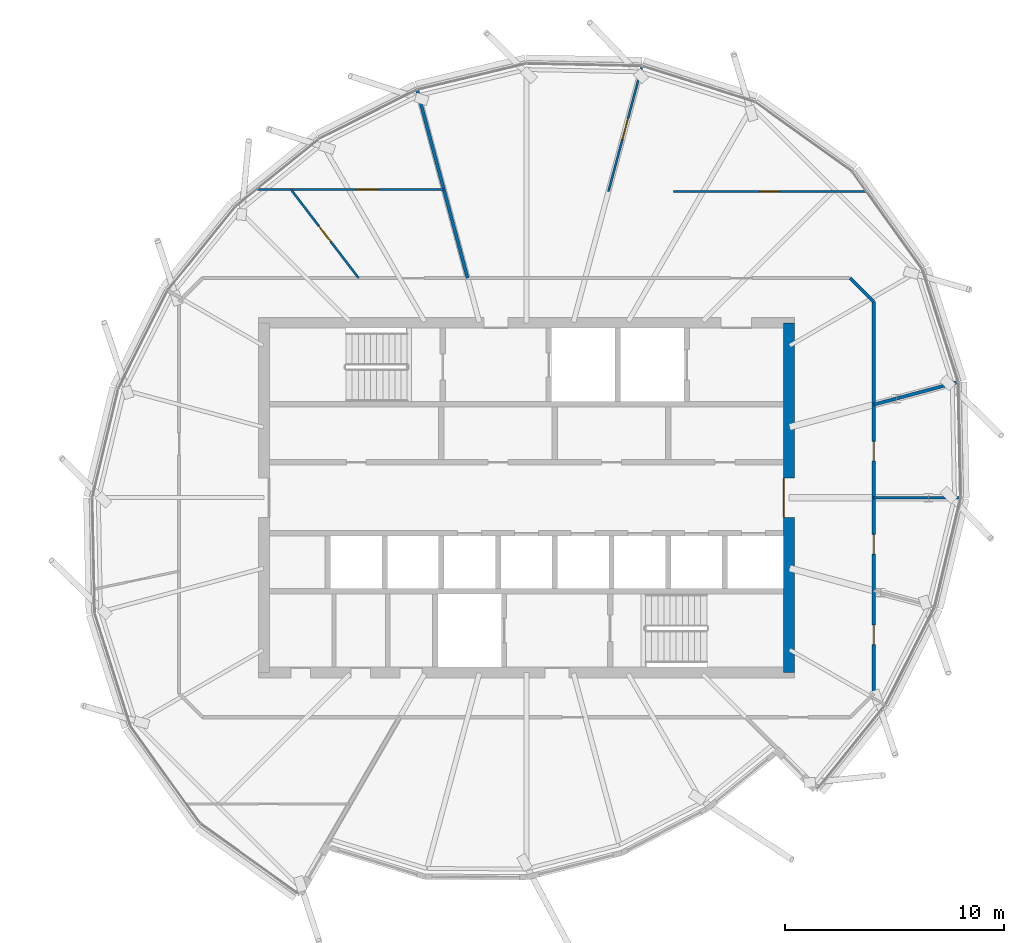
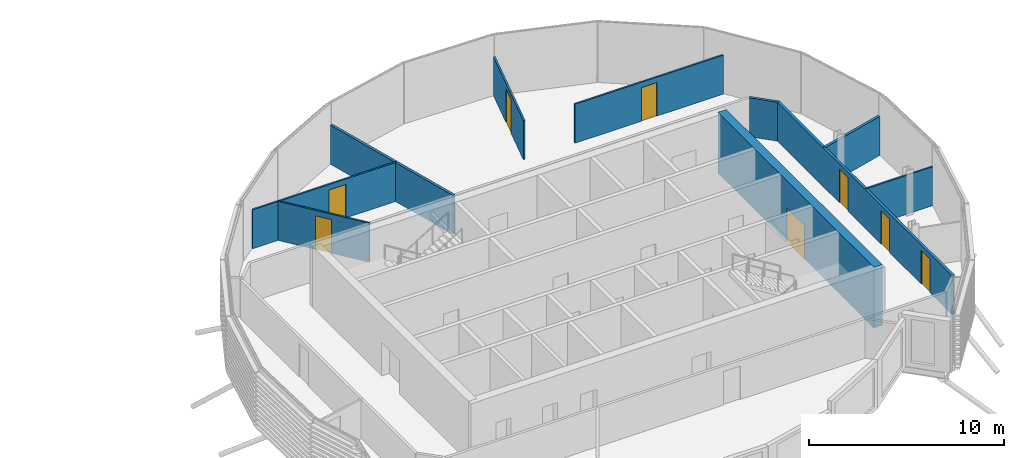
# One storey, part 22 of 38: 10 walls, 8 doors, 8 openings.
"""IFC4 building model written with IfcOpenShell, lengths in metres."""

from ifc_helpers import new_model, si_unit, direction, frame, frame_2d, origin, place, context, subcontext, project, spatial, rectangle, extrude, material, layer, layer_set, type_object, element, fill, save


model = new_model("IFC4")

# Units and contexts
model_context = context("Model", 3, precision=1e-05, world=origin(), true_north=direction((0.0, 1.0)))
body_context = subcontext(model_context, "Body", "Model", "MODEL_VIEW")
ifc_project = project(units=[si_unit("LENGTHUNIT", "METRE"), si_unit("AREAUNIT", "SQUARE_METRE"), si_unit("VOLUMEUNIT", "CUBIC_METRE"), si_unit("PLANEANGLEUNIT", "RADIAN"), si_unit("MASSUNIT", "GRAM", prefix="KILO")], contexts=[model_context])

# Site, building, storey
site_placement = place(None, origin())
site = spatial("IfcSite", under=ifc_project, at=site_placement, CompositionType="ELEMENT")
building_placement = place(site_placement, origin())
building = spatial("IfcBuilding", under=site, at=building_placement, Name="Rimbun Link Towers", CompositionType="ELEMENT")
storey_placement = place(building_placement, frame((0.0, 0.0, 218.10009765625)))
storey = spatial("IfcBuildingStorey", under=building, at=storey_placement, Name="L53", CompositionType="ELEMENT", Elevation=218.10009765625)

# Wall, opening, door
ifc_material_1 = material(Name="Concrete C60/75", Category="concrete")
ifc_layer_1 = layer(ifc_material_1, 0.5)
ifc_layer_set_1 = layer_set([ifc_layer_1], Name="Core shear wall 500")
wall_type_1 = type_object("IfcWallType", Name="Core shear wall 500", PredefinedType="SHEAR", material=ifc_layer_set_1)
wall_1_placement = place(storey_placement, frame((43.75, -8.0, 0.0), z_axis=(0.0, 0.0, 1.0), x_axis=(0.0, 1.0, 0.0)))
wall_1 = element("IfcWall", 1, at=wall_1_placement, inside=storey, type_object=wall_type_1, Name="L53 T2 core wall E", PredefinedType="SHEAR", context=body_context, shape_type="SweptSolid", body=[
    extrude(rectangle(XDim=16.0, YDim=0.5, at=frame_2d((8.0, 0.0))), origin(), (0.0, 0.0, 1.0), 3.7998046875),
])
opening_1_placement = place(wall_1_placement, frame((7.10009765625, 0.0, 0.0)))
opening_1 = element("IfcOpeningElement", 2, at=opening_1_placement, cuts=wall_1, Name="Opening C2DCL01E", PredefinedType="OPENING", context=body_context, shape_type="SweptSolid", body=[
    extrude(rectangle(XDim=1.800048828125, YDim=2.10009765625, at=frame_2d((0.89990234375, 1.050048828125))), frame((0.0, 0.260009765625, 0.0), z_axis=(0.0, -1.0, 0.0), x_axis=(1.0, 0.0, 0.0)), (0.0, 0.0, 1.0), 0.52001953125),
])
ifc_material_2 = material(Name="Steel fire door set", Category="steel")
door_type_1 = type_object("IfcDoorType", Name="Core lobby door double", OperationType="DOUBLE_DOOR_SINGLE_SWING", PredefinedType="DOOR", material=ifc_material_2)
door_1_placement = place(opening_1_placement, origin())
door_1 = element("IfcDoor", 3, at=door_1_placement, inside=storey, type_object=door_type_1, Name="L53 T2 lift lobby door", OperationType="DOUBLE_DOOR_SINGLE_SWING", OverallHeight=2.10009765625, OverallWidth=1.800048828125, PredefinedType="DOOR", context=body_context, shape_type="SweptSolid", body=[
    extrude(rectangle(XDim=1.800048828125, YDim=2.10009765625, at=frame_2d((0.89990234375, 1.050048828125))), frame((0.0, 0.25, 0.0), z_axis=(0.0, -1.0, 0.0), x_axis=(1.0, 0.0, 0.0)), (0.0, 0.0, 1.0), 0.050048828125),
])
fill(opening_1, door_1)

# Wall
ifc_material_3 = material(Name="Plasterboard on steel stud, mineral wool", Category="steel")
ifc_layer_2 = layer(ifc_material_3, 0.14990234375)
ifc_layer_set_2 = layer_set([ifc_layer_2], Name="Corridor wall EI 30 150 mm")
wall_type_2 = type_object("IfcWallType", Name="Corridor wall EI 30 150 mm", PredefinedType="PARTITIONING", material=ifc_layer_set_2)
wall_2_placement = place(storey_placement, frame((47.635009765625, 8.963623046875, 0.0), z_axis=(0.0, 0.0, 1.0), x_axis=(-0.707106781187, 0.707106781187, 0.0)))
element("IfcWall", 4, at=wall_2_placement, inside=storey, type_object=wall_type_2, Name="Corridor wall EI 30 150 mm", PredefinedType="PARTITIONING", context=body_context, shape_type="SweptSolid", body=[
    extrude(rectangle(XDim=1.529296875, YDim=0.14990234375, at=frame_2d((0.7646484375, 0.0))), origin(), (0.0, 0.0, 1.0), 2.43994140625),
])

# Wall, openings, doors
wall_3_placement = place(storey_placement, frame((47.635009765625, 8.963623046875, 0.0), z_axis=(0.0, 0.0, 1.0), x_axis=(0.0, -1.0, 0.0)))
wall_3 = element("IfcWall", 5, at=wall_3_placement, inside=storey, type_object=wall_type_2, Name="Corridor wall EI 30 150 mm", PredefinedType="PARTITIONING", context=body_context, shape_type="SweptSolid", body=[
    extrude(rectangle(XDim=17.92724609375, YDim=0.14990234375, at=frame_2d((8.963623046875, 0.0))), origin(), (0.0, 0.0, 1.0), 2.43994140625),
])
opening_2_placement = place(wall_3_placement, frame((14.781982421875, 0.0, 0.0)))
opening_2 = element("IfcOpeningElement", 6, at=opening_2_placement, cuts=wall_3, Name="Opening D02", PredefinedType="OPENING", context=body_context, shape_type="SweptSolid", body=[
    extrude(rectangle(XDim=0.89990234375, YDim=2.10009765625, at=frame_2d((0.449951171875, 1.050048828125))), frame((0.0, 0.0849609375, 0.0), z_axis=(0.0, -1.0, 0.0), x_axis=(1.0, 0.0, 0.0)), (0.0, 0.0, 1.0), 0.169921875),
])
opening_3_placement = place(wall_3_placement, frame((10.641845703125, 0.0, 0.0)))
opening_3 = element("IfcOpeningElement", 7, at=opening_3_placement, cuts=wall_3, Name="Opening D02", PredefinedType="OPENING", context=body_context, shape_type="SweptSolid", body=[
    extrude(rectangle(XDim=0.89990234375, YDim=2.10009765625, at=frame_2d((0.449951171875, 1.050048828125))), frame((0.0, 0.0849609375, 0.0), z_axis=(0.0, -1.0, 0.0), x_axis=(1.0, 0.0, 0.0)), (0.0, 0.0, 1.0), 0.169921875),
])
opening_4_placement = place(wall_3_placement, frame((6.385498046875, 0.0, 0.0)))
opening_4 = element("IfcOpeningElement", 8, at=opening_4_placement, cuts=wall_3, Name="Opening D02", PredefinedType="OPENING", context=body_context, shape_type="SweptSolid", body=[
    extrude(rectangle(XDim=0.89990234375, YDim=2.10009765625, at=frame_2d((0.449951171875, 1.050048828125))), frame((0.0, 0.0849609375, 0.0), z_axis=(0.0, -1.0, 0.0), x_axis=(1.0, 0.0, 0.0)), (0.0, 0.0, 1.0), 0.169921875),
])
ifc_material_4 = material(Name="Fire-resisting timber door leaf", Category="wood")
door_type_2 = type_object("IfcDoorType", Name="Fire door FD30S 900", OperationType="NOTDEFINED", PredefinedType="DOOR", material=ifc_material_4)
door_2_placement = place(opening_2_placement, origin())
door_2 = element("IfcDoor", 9, at=door_2_placement, inside=storey, type_object=door_type_2, Name="Fire door FD30S 900 to Print room", OperationType="SINGLE_SWING_RIGHT", OverallHeight=2.10009765625, OverallWidth=0.89990234375, PredefinedType="DOOR", context=body_context, shape_type="SweptSolid", body=[
    extrude(rectangle(XDim=0.89990234375, YDim=2.10009765625, at=frame_2d((0.449951171875, 1.050048828125))), frame((0.0, 0.02490234375, 0.0), z_axis=(0.0, -1.0, 0.0), x_axis=(1.0, 0.0, 0.0)), (0.0, 0.0, 1.0), 0.050048828125),
])
fill(opening_2, door_2)
door_3_placement = place(opening_3_placement, origin())
door_3 = element("IfcDoor", 10, at=door_3_placement, inside=storey, type_object=door_type_2, Name="Fire door FD30S 900 to Open office", OperationType="SINGLE_SWING_LEFT", OverallHeight=2.10009765625, OverallWidth=0.89990234375, PredefinedType="DOOR", context=body_context, shape_type="SweptSolid", body=[
    extrude(rectangle(XDim=0.89990234375, YDim=2.10009765625, at=frame_2d((0.449951171875, 1.050048828125))), frame((0.0, 0.02490234375, 0.0), z_axis=(0.0, -1.0, 0.0), x_axis=(1.0, 0.0, 0.0)), (0.0, 0.0, 1.0), 0.050048828125),
])
fill(opening_3, door_3)
door_4_placement = place(opening_4_placement, origin())
door_4 = element("IfcDoor", 11, at=door_4_placement, inside=storey, type_object=door_type_2, Name="Fire door FD30S 900 to Meeting room", OperationType="SINGLE_SWING_RIGHT", OverallHeight=2.10009765625, OverallWidth=0.89990234375, PredefinedType="DOOR", context=body_context, shape_type="SweptSolid", body=[
    extrude(rectangle(XDim=0.89990234375, YDim=2.10009765625, at=frame_2d((0.449951171875, 1.050048828125))), frame((0.0, 0.02490234375, 0.0), z_axis=(0.0, -1.0, 0.0), x_axis=(1.0, 0.0, 0.0)), (0.0, 0.0, 1.0), 0.050048828125),
])
fill(opening_4, door_4)

# Wall
ifc_material_5 = material(Name="Plasterboard on steel stud", Category="steel")
ifc_layer_3 = layer(ifc_material_5, 0.10009765625)
ifc_layer_set_3 = layer_set([ifc_layer_3], Name="Plasterboard partition 100 mm")
wall_type_3 = type_object("IfcWallType", Name="Plasterboard partition 100 mm", PredefinedType="PARTITIONING", material=ifc_layer_set_3)
wall_4_placement = place(storey_placement, frame((51.586181640625, 0.0, 0.0), z_axis=(0.0, 0.0, 1.0), x_axis=(-1.0, 0.0, 0.0)))
element("IfcWall", 12, at=wall_4_placement, inside=storey, type_object=wall_type_3, Name="Plasterboard partition 100 mm", PredefinedType="PARTITIONING", context=body_context, shape_type="SweptSolid", body=[
    extrude(rectangle(XDim=3.951171875, YDim=0.10009765625, at=frame_2d((1.9755859375, 0.0))), origin(), (0.0, 0.0, 1.0), 2.43994140625),
])

# Wall, opening, door
wall_5_placement = place(storey_placement, frame((38.480712890625, 14.0048828125, 0.0), z_axis=(0.0, 0.0, 1.0), x_axis=(1.0, 0.0, 0.0)))
wall_5 = element("IfcWall", 13, at=wall_5_placement, inside=storey, type_object=wall_type_3, Name="Plasterboard partition 100 mm", PredefinedType="PARTITIONING", context=body_context, shape_type="SweptSolid", body=[
    extrude(rectangle(XDim=8.79736328125, YDim=0.10009765625, at=frame_2d((4.398681640625, 0.0))), origin(), (0.0, 0.0, 1.0), 2.43994140625),
])
opening_5_placement = place(wall_5_placement, frame((3.94873046875, 0.0, 0.0)))
opening_5 = element("IfcOpeningElement", 14, at=opening_5_placement, cuts=wall_5, Name="Opening D04", PredefinedType="OPENING", context=body_context, shape_type="SweptSolid", body=[
    extrude(rectangle(XDim=0.89990234375, YDim=2.10009765625, at=frame_2d((0.449951171875, 1.050048828125))), frame((0.0, 0.06005859375, 0.0), z_axis=(0.0, -1.0, 0.0), x_axis=(1.0, 0.0, 0.0)), (0.0, 0.0, 1.0), 0.1201171875),
])
ifc_material_6 = material(Name="Timber door leaf", Category="wood")
door_type_3 = type_object("IfcDoorType", Name="Flush door 900", OperationType="NOTDEFINED", PredefinedType="DOOR", material=ifc_material_6)
door_5_placement = place(opening_5_placement, origin())
door_5 = element("IfcDoor", 15, at=door_5_placement, inside=storey, type_object=door_type_3, Name="Flush door 900 to Executive office", OperationType="SINGLE_SWING_LEFT", OverallHeight=2.10009765625, OverallWidth=0.89990234375, PredefinedType="DOOR", context=body_context, shape_type="SweptSolid", body=[
    extrude(rectangle(XDim=0.89990234375, YDim=2.10009765625, at=frame_2d((0.449951171875, 1.050048828125))), frame((0.0, 0.02490234375, 0.0), z_axis=(0.0, -1.0, 0.0), x_axis=(1.0, 0.0, 0.0)), (0.0, 0.0, 1.0), 0.050048828125),
])
fill(opening_5, door_5)

wall_6_placement = place(storey_placement, frame((35.502685546875, 14.0048828125, 0.0), z_axis=(0.0, 0.0, 1.0), x_axis=(0.258817138087, 0.96592633727, 0.0)))
wall_6 = element("IfcWall", 16, at=wall_6_placement, inside=storey, type_object=wall_type_3, Name="Plasterboard partition 100 mm", PredefinedType="PARTITIONING", context=body_context, shape_type="SweptSolid", body=[
    extrude(rectangle(XDim=5.922119140625, YDim=0.10009765625, at=frame_2d((2.9609375, 0.0))), origin(), (0.0, 0.0, 1.0), 2.43994140625),
])
opening_6_placement = place(wall_6_placement, frame((2.4609375, 0.0, 0.0)))
opening_6 = element("IfcOpeningElement", 17, at=opening_6_placement, cuts=wall_6, Name="Opening D03", PredefinedType="OPENING", context=body_context, shape_type="SweptSolid", body=[
    extrude(rectangle(XDim=1.0, YDim=2.10009765625, at=frame_2d((0.5, 1.050048828125))), frame((0.0, 0.06005859375, 0.0), z_axis=(0.0, -1.0, 0.0), x_axis=(1.0, 0.0, 0.0)), (0.0, 0.0, 1.0), 0.1201171875),
])
ifc_material_7 = material(Name="Timber door leaf", Category="wood")
door_type_4 = type_object("IfcDoorType", Name="Flush door 1000", OperationType="NOTDEFINED", PredefinedType="DOOR", material=ifc_material_7)
door_6_placement = place(opening_6_placement, origin())
door_6 = element("IfcDoor", 18, at=door_6_placement, inside=storey, type_object=door_type_4, Name="Flush door 1000 to Open office", OperationType="SINGLE_SWING_LEFT", OverallHeight=2.10009765625, OverallWidth=1.0, PredefinedType="DOOR", context=body_context, shape_type="SweptSolid", body=[
    extrude(rectangle(XDim=1.0, YDim=2.10009765625, at=frame_2d((0.5, 1.050048828125))), frame((0.0, 0.02490234375, 0.0), z_axis=(0.0, -1.0, 0.0), x_axis=(1.0, 0.0, 0.0)), (0.0, 0.0, 1.0), 0.050048828125),
])
fill(opening_6, door_6)

wall_7_placement = place(storey_placement, frame((24.07568359375, 10.044921875, 0.0), z_axis=(0.0, 0.0, 1.0), x_axis=(-0.607096228964, 0.794628321152, 0.0)))
wall_7 = element("IfcWall", 19, at=wall_7_placement, inside=storey, type_object=wall_type_3, Name="Plasterboard partition 100 mm", PredefinedType="PARTITIONING", context=body_context, shape_type="SweptSolid", body=[
    extrude(rectangle(XDim=5.0966796875, YDim=0.10009765625, at=frame_2d((2.54833984375, 0.0))), origin(), (0.0, 0.0, 1.0), 2.43994140625),
])
opening_7_placement = place(wall_7_placement, frame((2.098388671875, 0.0, 0.0)))
opening_7 = element("IfcOpeningElement", 20, at=opening_7_placement, cuts=wall_7, Name="Opening D04", PredefinedType="OPENING", context=body_context, shape_type="SweptSolid", body=[
    extrude(rectangle(XDim=0.89990234375, YDim=2.10009765625, at=frame_2d((0.449951171875, 1.050048828125))), frame((0.0, 0.06005859375, 0.0), z_axis=(0.0, -1.0, 0.0), x_axis=(1.0, 0.0, 0.0)), (0.0, 0.0, 1.0), 0.1201171875),
])
door_7_placement = place(opening_7_placement, origin())
door_7 = element("IfcDoor", 21, at=door_7_placement, inside=storey, type_object=door_type_3, Name="Flush door 900 to Pantry", OperationType="SINGLE_SWING_RIGHT", OverallHeight=2.10009765625, OverallWidth=0.89990234375, PredefinedType="DOOR", context=body_context, shape_type="SweptSolid", body=[
    extrude(rectangle(XDim=0.89990234375, YDim=2.10009765625, at=frame_2d((0.449951171875, 1.050048828125))), frame((0.0, 0.02490234375, 0.0), z_axis=(0.0, -1.0, 0.0), x_axis=(1.0, 0.0, 0.0)), (0.0, 0.0, 1.0), 0.050048828125),
])
fill(opening_7, door_7)

wall_8_placement = place(storey_placement, frame((19.440673828125, 14.094970703125, 0.0), z_axis=(0.0, 0.0, 1.0), x_axis=(1.0, 0.0, 0.0)))
wall_8 = element("IfcWall", 22, at=wall_8_placement, inside=storey, type_object=wall_type_3, Name="Plasterboard partition 100 mm", PredefinedType="PARTITIONING", context=body_context, shape_type="SweptSolid", body=[
    extrude(rectangle(XDim=8.53271484375, YDim=0.10009765625, at=frame_2d((4.266357421875, 0.0))), origin(), (0.0, 0.0, 1.0), 2.43994140625),
])
opening_8_placement = place(wall_8_placement, frame((4.521728515625, 0.0, 0.0)))
opening_8 = element("IfcOpeningElement", 23, at=opening_8_placement, cuts=wall_8, Name="Opening D03", PredefinedType="OPENING", context=body_context, shape_type="SweptSolid", body=[
    extrude(rectangle(XDim=1.0, YDim=2.10009765625, at=frame_2d((0.5, 1.050048828125))), frame((0.0, 0.06005859375, 0.0), z_axis=(0.0, -1.0, 0.0), x_axis=(1.0, 0.0, 0.0)), (0.0, 0.0, 1.0), 0.1201171875),
])
door_8_placement = place(opening_8_placement, origin())
door_8 = element("IfcDoor", 24, at=door_8_placement, inside=storey, type_object=door_type_4, Name="Flush door 1000 to Boardroom", OperationType="SINGLE_SWING_LEFT", OverallHeight=2.10009765625, OverallWidth=1.0, PredefinedType="DOOR", context=body_context, shape_type="SweptSolid", body=[
    extrude(rectangle(XDim=1.0, YDim=2.10009765625, at=frame_2d((0.5, 1.050048828125))), frame((0.0, 0.02490234375, 0.0), z_axis=(0.0, -1.0, 0.0), x_axis=(1.0, 0.0, 0.0)), (0.0, 0.0, 1.0), 0.050048828125),
])
fill(opening_8, door_8)

# Walls
ifc_material_8 = material(Name="Plasterboard on steel stud, mineral wool", Category="steel")
ifc_layer_4 = layer(ifc_material_8, 0.14990234375)
ifc_layer_set_4 = layer_set([ifc_layer_4], Name="Tenancy separation wall EI 60 150 mm")
wall_type_4 = type_object("IfcWallType", Name="Tenancy separation wall EI 60 150 mm", PredefinedType="PARTITIONING", material=ifc_layer_set_4)
wall_9_placement = place(storey_placement, frame((29.05859375, 10.044921875, 0.0), z_axis=(0.0, 0.0, 1.0), x_axis=(-0.258843948873, 0.965919153, 0.0)))
element("IfcWall", 25, at=wall_9_placement, inside=storey, type_object=wall_type_4, Name="Tenancy separation wall EI 60 150 mm", PredefinedType="PARTITIONING", context=body_context, shape_type="SweptSolid", body=[
    extrude(rectangle(XDim=8.89990234375, YDim=0.14990234375, at=frame_2d((4.449951171875, 0.0))), origin(), (0.0, 0.0, 1.0), 2.43994140625),
])
wall_10_placement = place(storey_placement, frame((47.635009765625, 4.25634765625, 0.0), z_axis=(0.0, 0.0, 1.0), x_axis=(0.965919268115, 0.258843519302, 0.0)))
element("IfcWall", 26, at=wall_10_placement, inside=storey, type_object=wall_type_4, Name="Tenancy separation wall EI 60 150 mm", PredefinedType="PARTITIONING", context=body_context, shape_type="SweptSolid", body=[
    extrude(rectangle(XDim=3.9755859375, YDim=0.14990234375, at=frame_2d((1.98779296875, 0.0))), origin(), (0.0, 0.0, 1.0), 2.43994140625),
])

save(model, "model.ifc")
